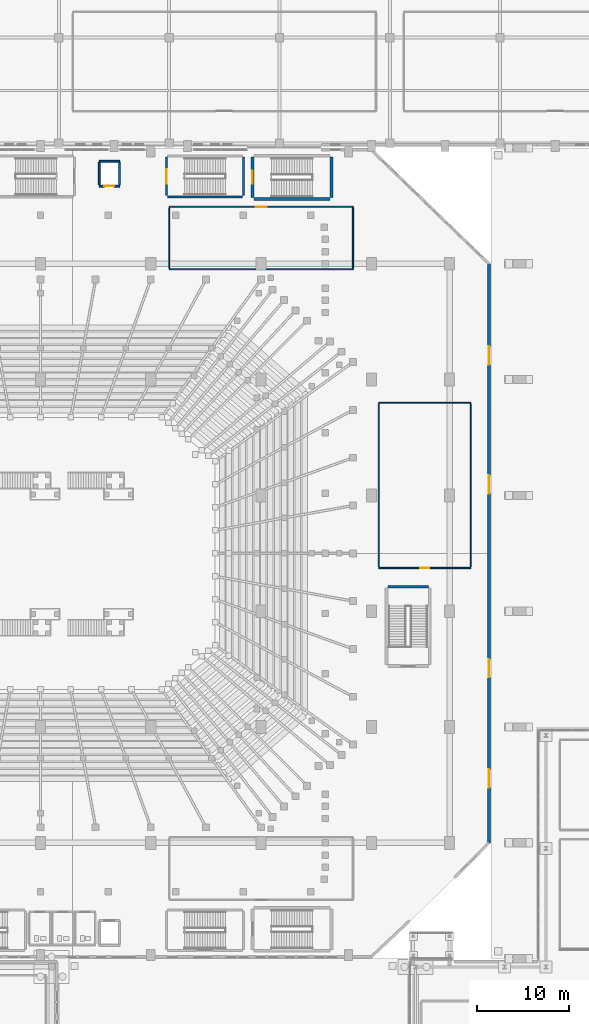
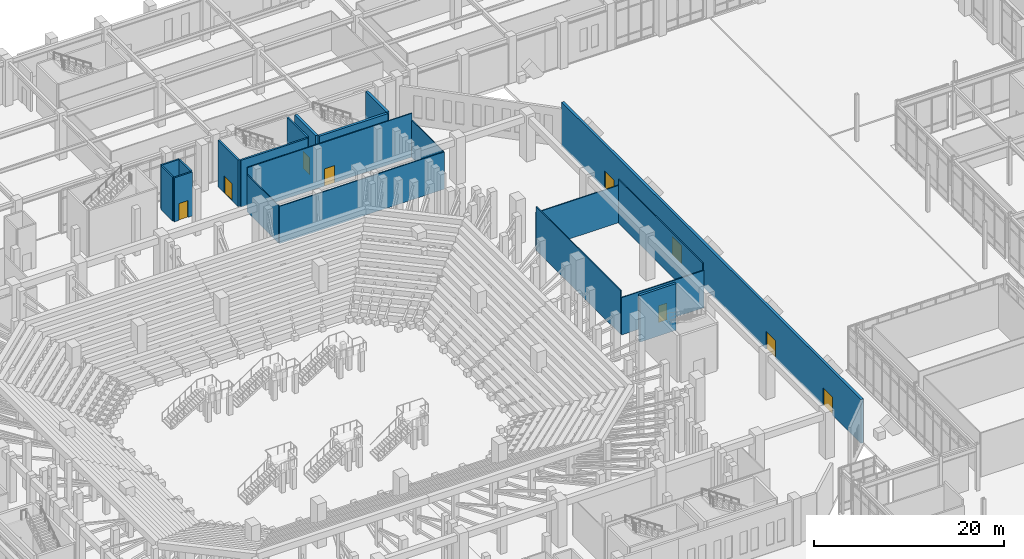
# One storey, part 113 of 143: 20 walls, 9 doors, 9 openings.
"""IFC4 building model written with IfcOpenShell, lengths in metres."""

import ifcopenshell
import ifcopenshell.guid

model = None  # the IFC model being written
_history = None  # IfcOwnerHistory: only IFC2X3 demands one
_inside = {}  # id of a spatial element -> (the spatial element, [elements in it])
_under = {}  # id of a project, library or spatial element -> (it, [spatial elements below it])
_declared = {}  # id of a project -> (the project, [libraries it declares])
_typed = {}  # id of a type object -> (the type object, [elements of that type])
_made_of = {}  # id of a material, layer set ... -> (it, [elements and type objects made of it])


def new_model(schema):
    """Start an empty IFC model of exactly this schema.

    Asked for "IFC4X3", IfcOpenShell would pick the latest addendum, in which some entities
    have other attributes; the version numbers below select the first issue.
    IFC2X3 requires an IfcOwnerHistory on every rooted entity: one is made here for all.
    """
    global model, _history
    if schema == "IFC4X3":
        model = ifcopenshell.file(schema_version=(4, 3, 0, 0))
    else:
        model = ifcopenshell.file(schema=schema)
    _inside.clear()
    _under.clear()
    _declared.clear()
    _typed.clear()
    _made_of.clear()
    _history = None
    if model.schema == "IFC2X3":
        org = make("IfcOrganization", Name="unknown")
        user = make(
            "IfcPersonAndOrganization",
            ThePerson=make("IfcPerson", FamilyName="unknown"),
            TheOrganization=org,
        )
        app = make(
            "IfcApplication",
            ApplicationDeveloper=org,
            Version="unknown",
            ApplicationFullName="unknown",
            ApplicationIdentifier="unknown",
        )
        _history = make(
            "IfcOwnerHistory",
            OwningUser=user,
            OwningApplication=app,
            ChangeAction="ADDED",
            CreationDate=0,
        )
    return model


def make(cls, **values):
    """One entity of the class cls with the attributes given. An attribute that is None is left unset."""
    return model.create_entity(
        cls, **{name: value for name, value in values.items() if value is not None}
    )


def rooted(cls, **values):
    """An entity with a GlobalId (a new one), such as an element, a storey or a relation."""
    return make(cls, GlobalId=ifcopenshell.guid.new(), OwnerHistory=_history, **values)


def si_unit(unit_type, name, prefix=None):
    """IfcSIUnit, for example si_unit("LENGTHUNIT", "METRE", prefix="MILLI")."""
    return make("IfcSIUnit", UnitType=unit_type, Prefix=prefix, Name=name)


def derived_unit(unit_type, elements):
    """IfcDerivedUnit: a product of units, each with its exponent."""
    return make(
        "IfcDerivedUnit",
        Elements=[
            make("IfcDerivedUnitElement", Unit=unit, Exponent=power)
            for unit, power in elements
        ],
        UnitType=unit_type,
    )


def assignment(units):
    """IfcUnitAssignment: the units of a project."""
    return None if units is None else make("IfcUnitAssignment", Units=units)


def point(xyz):
    """IfcCartesianPoint."""
    return None if xyz is None else make("IfcCartesianPoint", Coordinates=xyz)


def direction(xyz):
    """IfcDirection."""
    return None if xyz is None else make("IfcDirection", DirectionRatios=xyz)


def frame(location, z_axis=None, x_axis=None):
    """IfcAxis2Placement3D, a coordinate frame: its origin and axes. An axis left out is left unset."""
    return make(
        "IfcAxis2Placement3D",
        Location=point(location),
        Axis=direction(z_axis),
        RefDirection=direction(x_axis),
    )


def frame_2d(location, x_axis=None):
    """IfcAxis2Placement2D, a coordinate frame in the plane: its origin and x axis."""
    return make(
        "IfcAxis2Placement2D", Location=point(location), RefDirection=direction(x_axis)
    )


def origin():
    """The frame at (0, 0, 0) with its axes left unset."""
    return frame((0.0, 0.0, 0.0))


def place(relative_to, where):
    """IfcLocalPlacement: puts the frame where relative to a parent placement (None: the world)."""
    return make(
        "IfcLocalPlacement", PlacementRelTo=relative_to, RelativePlacement=where
    )


def context(
    kind, dimensions, precision=None, world=None, true_north=None, identifier=None
):
    """IfcGeometricRepresentationContext, for example the 3D "Model" context."""
    return make(
        "IfcGeometricRepresentationContext",
        ContextIdentifier=identifier,
        ContextType=kind,
        CoordinateSpaceDimension=dimensions,
        Precision=precision,
        WorldCoordinateSystem=world,
        TrueNorth=true_north,
    )


def subcontext(parent, identifier, kind, view, scale=None):
    """IfcGeometricRepresentationSubContext, for example "Body" below "Model"."""
    return make(
        "IfcGeometricRepresentationSubContext",
        ContextIdentifier=identifier,
        ContextType=kind,
        ParentContext=parent,
        TargetScale=scale,
        TargetView=view,
    )


def project(units=None, contexts=None):
    """IfcProject with its units and contexts."""
    return rooted(
        "IfcProject",
        Name="project",
        RepresentationContexts=contexts,
        UnitsInContext=assignment(units),
    )


def spatial(cls, under=None, at=None, **own):
    """A site, building, storey or space (cls), placed at a placement, below another one or the project."""
    s = rooted(cls, ObjectPlacement=at, **own)
    if under is not None:
        _under.setdefault(under.id(), (under, []))[1].append(s)
    return s


def profile(cls, at=None, kind="AREA", **sizes):
    """A parametric profile (cls). Its sizes go by their IFC names, for example OverallWidth=200.0."""
    return make(cls, ProfileType=kind, Position=at, **sizes)


def rectangle(**sizes):
    """IfcRectangleProfileDef."""
    return profile("IfcRectangleProfileDef", **sizes)


def extrude(swept, where, along, depth):
    """IfcExtrudedAreaSolid: the profile swept, set in the frame where, extruded along a direction by depth."""
    return make(
        "IfcExtrudedAreaSolid",
        SweptArea=swept,
        Position=where,
        ExtrudedDirection=direction(along),
        Depth=depth,
    )


def shape(context_of_items, identifier, shape_type, items):
    """IfcShapeRepresentation: the items that make up one representation, for example the "Body"."""
    return make(
        "IfcShapeRepresentation",
        ContextOfItems=context_of_items,
        RepresentationIdentifier=identifier,
        RepresentationType=shape_type,
        Items=items,
    )


def material(Name=None, Category=None):
    """IfcMaterial."""
    return make("IfcMaterial", Name=Name, Category=Category)


def layer(
    of_material, thickness, ventilated=None, Name=None, Category=None, Priority=None
):
    """IfcMaterialLayer: one layer of a wall or slab, of a material (None: an air gap)."""
    return make(
        "IfcMaterialLayer",
        Material=of_material,
        LayerThickness=thickness,
        IsVentilated=ventilated,
        Name=Name,
        Category=Category,
        Priority=Priority,
    )


def layer_set(layers, Name=None):
    """IfcMaterialLayerSet."""
    return make("IfcMaterialLayerSet", MaterialLayers=layers, LayerSetName=Name)


def made_of(thing, what):
    """Note that an element or type object is made of a material, layer set ...; save() writes the relation."""
    if what is not None:
        _made_of.setdefault(what.id(), (what, []))[1].append(thing)
    return thing


def type_object(cls, material=None, **own):
    """A type object (cls), such as IfcWallType, which elements share."""
    return made_of(rooted(cls, **own), material)


def element(
    cls,
    number,
    at=None,
    inside=None,
    cuts=None,
    type_object=None,
    material=None,
    context=None,
    identifier="Body",
    shape_type=None,
    held_by="IfcProductDefinitionShape",
    body=None,
    shapes=None,
    **own,
):
    """One element of the class cls, such as IfcWall. Its Tag is "e" and its number.

    at: its placement. inside: the storey or other place that contains it. cuts: it is an
    opening in that element (IfcRelVoidsElement). A single representation is given by context,
    identifier, shape_type and body (its items); several are given by shapes. held_by: the class
    of the entity that holds the representations. save() writes the other relations.
    """
    e = rooted(cls, Tag="e%d" % number, ObjectPlacement=at, **own)
    if body is not None:
        shapes = [shape(context, identifier, shape_type, body)]
    if shapes is not None:
        e.Representation = make(held_by, Representations=shapes)
    if inside is not None:
        _inside.setdefault(inside.id(), (inside, []))[1].append(e)
    if cuts is not None:
        rooted(
            "IfcRelVoidsElement", RelatingBuildingElement=cuts, RelatedOpeningElement=e
        )
    if type_object is not None:
        _typed.setdefault(type_object.id(), (type_object, []))[1].append(e)
    return made_of(e, material)


def fill(opening, filler):
    """IfcRelFillsElement: the door or window that sits in an opening."""
    return rooted(
        "IfcRelFillsElement",
        RelatingOpeningElement=opening,
        RelatedBuildingElement=filler,
    )


def aggregate(whole, parts):
    """IfcRelAggregates: a whole, such as a stair, and the parts it consists of."""
    return rooted("IfcRelAggregates", RelatingObject=whole, RelatedObjects=parts)


def save(model, path):
    """Write the relations noted so far, then the file.

    IfcRelAggregates (storeys below a building ...), IfcRelContainedInSpatialStructure (elements
    in a storey), IfcRelDefinesByType, IfcRelAssociatesMaterial and IfcRelDeclares: one each for
    every whole, place, type object, material and project.
    """
    for whole, parts in _under.values():
        aggregate(whole, parts)
    for where, things in _inside.values():
        rooted(
            "IfcRelContainedInSpatialStructure",
            RelatedElements=things,
            RelatingStructure=where,
        )
    for kind, things in _typed.values():
        rooted("IfcRelDefinesByType", RelatedObjects=things, RelatingType=kind)
    for what, things in _made_of.values():
        rooted("IfcRelAssociatesMaterial", RelatedObjects=things, RelatingMaterial=what)
    for by, libraries in _declared.values():
        rooted("IfcRelDeclares", RelatingContext=by, RelatedDefinitions=libraries)
    model.write(path)


model = new_model("IFC4")

# Units and contexts
model_context = context("Model", 3, precision=1e-05, world=origin(), true_north=direction((0.0, 1.0)))
body_context = subcontext(model_context, "Body", "Model", "MODEL_VIEW")
ifc_project = project(units=[si_unit("LENGTHUNIT", "METRE"), si_unit("AREAUNIT", "SQUARE_METRE"), si_unit("VOLUMEUNIT", "CUBIC_METRE"), si_unit("PLANEANGLEUNIT", "RADIAN"), si_unit("MASSUNIT", "GRAM", prefix="KILO"), derived_unit("THERMALTRANSMITTANCEUNIT", [(si_unit("MASSUNIT", "GRAM", prefix="KILO"), 1), (si_unit("TIMEUNIT", "SECOND"), -3), (si_unit("THERMODYNAMICTEMPERATUREUNIT", "KELVIN"), -1)])], contexts=[model_context])

# Site, building, storey
site_placement = place(None, origin())
site = spatial("IfcSite", under=ifc_project, at=site_placement, CompositionType="ELEMENT")
building_placement = place(site_placement, origin())
building = spatial("IfcBuilding", under=site, at=building_placement, Name="Valcora Ridge Arena", CompositionType="ELEMENT")
storey_placement = place(building_placement, origin())
storey = spatial("IfcBuildingStorey", under=building, at=storey_placement, Name="L00", CompositionType="ELEMENT", Elevation=0.0)

# Wall, openings, doors
ifc_material_1 = material(Name="Bush-hammered Andean travertine on concrete backup C40/50", Category="masonry")
ifc_layer_1 = layer(ifc_material_1, 0.300048828125, Name="Bush-hammered Andean travertine on concrete backup C40/50")
ifc_layer_set_1 = layer_set([ifc_layer_1], Name="Bush-hammered Andean travertine on concrete backup C40/50")
wall_type_1 = type_object("IfcWallType", Name="TY-WALL-EW-TRV-30-56", PredefinedType="STANDARD", material=ifc_layer_set_1)
wall_1_placement = place(storey_placement, frame((106.800048828125, 32.60009765625, 0.0), z_axis=(0.0, 0.0, 1.0), x_axis=(0.0, 1.0, 0.0)))
wall_1 = element("IfcWall", 1, at=wall_1_placement, inside=storey, type_object=wall_type_1, Name="EW-TRV-30-56 WAL-EW-0036", PredefinedType="STANDARD", context=body_context, shape_type="SweptSolid", body=[
    extrude(rectangle(XDim=63.0, YDim=0.300048828125, at=frame_2d((31.5, 0.0))), origin(), (0.0, 0.0, 1.0), 5.639892578125),
])
opening_1_placement = place(wall_1_placement, frame((6.0, 0.0, 0.0)))
opening_1 = element("IfcOpeningElement", 2, at=opening_1_placement, cuts=wall_1, Name="Opening D-EXIT-2000", PredefinedType="OPENING", context=body_context, shape_type="SweptSolid", body=[
    extrude(rectangle(XDim=2.0, YDim=2.300048828125, at=frame_2d((1.0, 1.14990234375))), frame((0.0, 0.159912109375, 0.0), z_axis=(0.0, -1.0, 0.0), x_axis=(1.0, 0.0, 0.0)), (0.0, 0.0, 1.0), 0.320068359375),
])
opening_2_placement = place(wall_1_placement, frame((18.0, 0.0, 0.0)))
opening_2 = element("IfcOpeningElement", 3, at=opening_2_placement, cuts=wall_1, Name="Opening D-EXIT-2000", PredefinedType="OPENING", context=body_context, shape_type="SweptSolid", body=[
    extrude(rectangle(XDim=2.0, YDim=2.300048828125, at=frame_2d((1.0, 1.14990234375))), frame((0.0, 0.159912109375, 0.0), z_axis=(0.0, -1.0, 0.0), x_axis=(1.0, 0.0, 0.0)), (0.0, 0.0, 1.0), 0.320068359375),
])
opening_3_placement = place(wall_1_placement, frame((38.0, 0.0, 0.0)))
opening_3 = element("IfcOpeningElement", 4, at=opening_3_placement, cuts=wall_1, Name="Opening D-EXIT-2000", PredefinedType="OPENING", context=body_context, shape_type="SweptSolid", body=[
    extrude(rectangle(XDim=2.0, YDim=2.300048828125, at=frame_2d((1.0, 1.14990234375))), frame((0.0, 0.159912109375, 0.0), z_axis=(0.0, -1.0, 0.0), x_axis=(1.0, 0.0, 0.0)), (0.0, 0.0, 1.0), 0.320068359375),
])
opening_4_placement = place(wall_1_placement, frame((52.0, 0.0, 0.0)))
opening_4 = element("IfcOpeningElement", 5, at=opening_4_placement, cuts=wall_1, Name="Opening D-EXIT-2000", PredefinedType="OPENING", context=body_context, shape_type="SweptSolid", body=[
    extrude(rectangle(XDim=2.0, YDim=2.300048828125, at=frame_2d((1.0, 1.14990234375))), frame((0.0, 0.159912109375, 0.0), z_axis=(0.0, -1.0, 0.0), x_axis=(1.0, 0.0, 0.0)), (0.0, 0.0, 1.0), 0.320068359375),
])
ifc_material_2 = material(Name="Thermally broken bronze aluminium glazed entrance leaf", Category="aluminium")
door_type_1 = type_object("IfcDoorType", Name="TY-DOOR-D-EXIT-2000", OperationType="NOTDEFINED", PredefinedType="DOOR", material=ifc_material_2)
door_1_placement = place(opening_1_placement, origin())
door_1 = element("IfcDoor", 6, at=door_1_placement, inside=storey, type_object=door_type_1, Name="D-EXIT-2000 DOR-EX-0011", OperationType="DOUBLE_DOOR_SINGLE_SWING", OverallHeight=2.300048828125, OverallWidth=2.0, PredefinedType="DOOR", context=body_context, shape_type="SweptSolid", body=[
    extrude(rectangle(XDim=2.0, YDim=2.300048828125, at=frame_2d((1.0, 1.14990234375))), frame((0.0, 0.02490234375, 0.0), z_axis=(0.0, -1.0, 0.0), x_axis=(1.0, 0.0, 0.0)), (0.0, 0.0, 1.0), 0.050048828125),
])
fill(opening_1, door_1)
door_2_placement = place(opening_2_placement, origin())
door_2 = element("IfcDoor", 7, at=door_2_placement, inside=storey, type_object=door_type_1, Name="D-EXIT-2000 DOR-EX-0012", OperationType="DOUBLE_DOOR_SINGLE_SWING", OverallHeight=2.300048828125, OverallWidth=2.0, PredefinedType="DOOR", context=body_context, shape_type="SweptSolid", body=[
    extrude(rectangle(XDim=2.0, YDim=2.300048828125, at=frame_2d((1.0, 1.14990234375))), frame((0.0, 0.02490234375, 0.0), z_axis=(0.0, -1.0, 0.0), x_axis=(1.0, 0.0, 0.0)), (0.0, 0.0, 1.0), 0.050048828125),
])
fill(opening_2, door_2)
door_3_placement = place(opening_3_placement, origin())
door_3 = element("IfcDoor", 8, at=door_3_placement, inside=storey, type_object=door_type_1, Name="D-EXIT-2000 DOR-EX-0013", OperationType="DOUBLE_DOOR_SINGLE_SWING", OverallHeight=2.300048828125, OverallWidth=2.0, PredefinedType="DOOR", context=body_context, shape_type="SweptSolid", body=[
    extrude(rectangle(XDim=2.0, YDim=2.300048828125, at=frame_2d((1.0, 1.14990234375))), frame((0.0, 0.02490234375, 0.0), z_axis=(0.0, -1.0, 0.0), x_axis=(1.0, 0.0, 0.0)), (0.0, 0.0, 1.0), 0.050048828125),
])
fill(opening_3, door_3)
door_4_placement = place(opening_4_placement, origin())
door_4 = element("IfcDoor", 9, at=door_4_placement, inside=storey, type_object=door_type_1, Name="D-EXIT-2000 DOR-EX-0014", OperationType="DOUBLE_DOOR_SINGLE_SWING", OverallHeight=2.300048828125, OverallWidth=2.0, PredefinedType="DOOR", context=body_context, shape_type="SweptSolid", body=[
    extrude(rectangle(XDim=2.0, YDim=2.300048828125, at=frame_2d((1.0, 1.14990234375))), frame((0.0, 0.02490234375, 0.0), z_axis=(0.0, -1.0, 0.0), x_axis=(1.0, 0.0, 0.0)), (0.0, 0.0, 1.0), 0.050048828125),
])
fill(opening_4, door_4)

# Wall
ifc_material_3 = material(Name="Acoustic metal-stud gypsum partition 120 mm")
ifc_layer_2 = layer(ifc_material_3, 0.1201171875, Name="Acoustic metal-stud gypsum partition 120 mm")
ifc_layer_set_2 = layer_set([ifc_layer_2], Name="Acoustic metal-stud gypsum partition 120 mm")
wall_type_2 = type_object("IfcWallType", Name="TY-WALL-IW-PART-120", PredefinedType="PARTITIONING", material=ifc_layer_set_2)
wall_2_placement = place(storey_placement, frame((72.0, 95.0, 0.0), z_axis=(0.0, 0.0, 1.0), x_axis=(1.0, 0.0, 0.0)))
element("IfcWall", 10, at=wall_2_placement, inside=storey, type_object=wall_type_2, Name="IW-PART-120 WAL-IN-0219", PredefinedType="PARTITIONING", context=body_context, shape_type="SweptSolid", body=[
    extrude(rectangle(XDim=20.0, YDim=0.1201171875, at=frame_2d((10.0, 0.0))), origin(), (0.0, 0.0, 1.0), 4.7900390625),
])

# Wall, opening, door
wall_3_placement = place(storey_placement, frame((72.0, 101.800048828125, 0.0), z_axis=(0.0, 0.0, 1.0), x_axis=(1.0, 0.0, 0.0)))
wall_3 = element("IfcWall", 11, at=wall_3_placement, inside=storey, type_object=wall_type_2, Name="IW-PART-120 WAL-IN-0220", PredefinedType="PARTITIONING", context=body_context, shape_type="SweptSolid", body=[
    extrude(rectangle(XDim=20.0, YDim=0.1201171875, at=frame_2d((10.0, 0.0))), origin(), (0.0, 0.0, 1.0), 5.639892578125),
])
opening_5_placement = place(wall_3_placement, frame((9.39990234375, 0.0, 0.0)))
opening_5 = element("IfcOpeningElement", 12, at=opening_5_placement, cuts=wall_3, Name="Opening D-ATH-1200", PredefinedType="OPENING", context=body_context, shape_type="SweptSolid", body=[
    extrude(rectangle(XDim=1.199951171875, YDim=2.199951171875, at=frame_2d((0.60009765625, 1.10009765625))), frame((0.0, 0.070068359375, 0.0), z_axis=(0.0, -1.0, 0.0), x_axis=(1.0, 0.0, 0.0)), (0.0, 0.0, 1.0), 0.14013671875),
])
ifc_material_4 = material(Name="Solid-core acoustic timber veneer door leaf", Category="wood")
door_type_2 = type_object("IfcDoorType", Name="TY-DOOR-D-ATH-1200", OperationType="NOTDEFINED", PredefinedType="DOOR", material=ifc_material_4)
door_5_placement = place(opening_5_placement, origin())
door_5 = element("IfcDoor", 13, at=door_5_placement, inside=storey, type_object=door_type_2, Name="D-ATH-1200 DOR-IN-0059", OperationType="SINGLE_SWING_RIGHT", OverallHeight=2.199951171875, OverallWidth=1.199951171875, PredefinedType="DOOR", context=body_context, shape_type="SweptSolid", body=[
    extrude(rectangle(XDim=1.199951171875, YDim=2.199951171875, at=frame_2d((0.60009765625, 1.10009765625))), frame((0.0, 0.02490234375, 0.0), z_axis=(0.0, -1.0, 0.0), x_axis=(1.0, 0.0, 0.0)), (0.0, 0.0, 1.0), 0.050048828125),
])
fill(opening_5, door_5)

# Walls
for number, where, z_axis, x_axis, name in (
    (14, (72.0, 95.1201171875, 0.0), (0.0, 0.0, 1.0), (0.0, 1.0, 0.0), "IW-PART-120 WAL-IN-0221"),
    (15, (92.0, 95.1201171875, 0.0), (0.0, 0.0, 1.0), (0.0, 1.0, 0.0), "IW-PART-120 WAL-IN-0222"),
):
    element("IfcWall", number, at=place(storey_placement, frame(where, z_axis=z_axis, x_axis=x_axis)), inside=storey, type_object=wall_type_2, Name=name, PredefinedType="PARTITIONING", context=body_context, shape_type="SweptSolid", body=[
        extrude(rectangle(XDim=6.559814453125, YDim=0.1201171875, at=frame_2d((3.27978515625, 0.0))), origin(), (0.0, 0.0, 1.0), 4.7900390625),
    ])

# Wall, opening, door
wall_4_placement = place(storey_placement, frame((94.800048828125, 62.5, 0.0), z_axis=(0.0, 0.0, 1.0), x_axis=(1.0, 0.0, 0.0)))
wall_4 = element("IfcWall", 16, at=wall_4_placement, inside=storey, type_object=wall_type_2, Name="IW-PART-120 WAL-IN-0231", PredefinedType="PARTITIONING", context=body_context, shape_type="SweptSolid", body=[
    extrude(rectangle(XDim=10.0, YDim=0.1201171875, at=frame_2d((5.0, 0.0))), origin(), (0.0, 0.0, 1.0), 4.7900390625),
])
opening_6_placement = place(wall_4_placement, frame((4.5, 0.0, 0.0)))
opening_6 = element("IfcOpeningElement", 17, at=opening_6_placement, cuts=wall_4, Name="Opening D-INT-1000", PredefinedType="OPENING", context=body_context, shape_type="SweptSolid", body=[
    extrude(rectangle(XDim=1.0, YDim=2.14990234375, at=frame_2d((0.5, 1.074951171875))), frame((0.0, 0.070068359375, 0.0), z_axis=(0.0, -1.0, 0.0), x_axis=(1.0, 0.0, 0.0)), (0.0, 0.0, 1.0), 0.14013671875),
])
door_type_3 = type_object("IfcDoorType", Name="TY-DOOR-D-INT-1000", OperationType="NOTDEFINED", PredefinedType="DOOR", material=ifc_material_4)
door_6_placement = place(opening_6_placement, origin())
door_6 = element("IfcDoor", 18, at=door_6_placement, inside=storey, type_object=door_type_3, Name="D-INT-1000 DOR-IN-0062", OperationType="SINGLE_SWING_LEFT", OverallHeight=2.14990234375, OverallWidth=1.0, PredefinedType="DOOR", context=body_context, shape_type="SweptSolid", body=[
    extrude(rectangle(XDim=1.0, YDim=2.14990234375, at=frame_2d((0.5, 1.074951171875))), frame((0.0, 0.02490234375, 0.0), z_axis=(0.0, -1.0, 0.0), x_axis=(1.0, 0.0, 0.0)), (0.0, 0.0, 1.0), 0.050048828125),
])
fill(opening_6, door_6)

# Walls
wall_5_placement = place(storey_placement, frame((94.800048828125, 80.5, 0.0), z_axis=(0.0, 0.0, 1.0), x_axis=(1.0, 0.0, 0.0)))
element("IfcWall", 19, at=wall_5_placement, inside=storey, type_object=wall_type_2, Name="IW-PART-120 WAL-IN-0232", PredefinedType="PARTITIONING", context=body_context, shape_type="SweptSolid", body=[
    extrude(rectangle(XDim=10.0, YDim=0.1201171875, at=frame_2d((5.0, 0.0))), origin(), (0.0, 0.0, 1.0), 4.7900390625),
])
for number, where, z_axis, x_axis, name in (
    (20, (94.800048828125, 62.6201171875, 0.0), (0.0, 0.0, 1.0), (0.0, 1.0, 0.0), "IW-PART-120 WAL-IN-0233"),
    (21, (104.800048828125, 62.6201171875, 0.0), (0.0, 0.0, 1.0), (0.0, 1.0, 0.0), "IW-PART-120 WAL-IN-0234"),
):
    element("IfcWall", number, at=place(storey_placement, frame(where, z_axis=z_axis, x_axis=x_axis)), inside=storey, type_object=wall_type_2, Name=name, PredefinedType="PARTITIONING", context=body_context, shape_type="SweptSolid", body=[
        extrude(rectangle(XDim=17.759765625, YDim=0.1201171875, at=frame_2d((8.8798828125, 0.0))), origin(), (0.0, 0.0, 1.0), 5.639892578125),
    ])

# Wall, opening, door
ifc_material_5 = material(Name="Concrete C40/50", Category="concrete")
ifc_layer_3 = layer(ifc_material_5, 0.199951171875, Name="Concrete C40/50")
ifc_layer_set_3 = layer_set([ifc_layer_3], Name="Concrete C40/50")
wall_type_3 = type_object("IfcWallType", Name="TY-WALL-IW-SHF-200", PredefinedType="STANDARD", material=ifc_layer_set_3)
wall_6_placement = place(storey_placement, frame((64.39990234375, 104.050048828125, 0.0), z_axis=(0.0, 0.0, 1.0), x_axis=(1.0, 0.0, 0.0)))
wall_6 = element("IfcWall", 22, at=wall_6_placement, inside=storey, type_object=wall_type_3, Name="IW-SHF-200 WAL-SH-0133", PredefinedType="STANDARD", context=body_context, shape_type="SweptSolid", body=[
    extrude(rectangle(XDim=2.2001953125, YDim=0.199951171875, at=frame_2d((1.10009765625, 0.0))), origin(), (0.0, 0.0, 1.0), 5.639892578125),
])
opening_7_placement = place(wall_6_placement, frame((0.550048828125, 0.0, 0.0)))
opening_7 = element("IfcOpeningElement", 23, at=opening_7_placement, cuts=wall_6, Name="Opening LD-PAX", PredefinedType="OPENING", context=body_context, shape_type="SweptSolid", body=[
    extrude(rectangle(XDim=1.10009765625, YDim=2.14990234375, at=frame_2d((0.550048828125, 1.074951171875))), frame((0.0, 0.10986328125, 0.0), z_axis=(0.0, -1.0, 0.0), x_axis=(1.0, 0.0, 0.0)), (0.0, 0.0, 1.0), 0.219970703125),
])
ifc_material_6 = material(Name="Insulated fire-rated hollow metal steel", Category="steel")
door_type_4 = type_object("IfcDoorType", Name="TY-DOOR-LD-PAX", OperationType="NOTDEFINED", PredefinedType="DOOR", material=ifc_material_6)
door_7_placement = place(opening_7_placement, origin())
door_7 = element("IfcDoor", 24, at=door_7_placement, inside=storey, type_object=door_type_4, Name="PL4 Landing Door L00", OperationType="SLIDING_TO_LEFT", OverallHeight=2.14990234375, OverallWidth=1.10009765625, PredefinedType="DOOR", context=body_context, shape_type="SweptSolid", body=[
    extrude(rectangle(XDim=1.10009765625, YDim=2.14990234375, at=frame_2d((0.550048828125, 1.074951171875))), frame((0.0, 0.02490234375, 0.0), z_axis=(0.0, -1.0, 0.0), x_axis=(1.0, 0.0, 0.0)), (0.0, 0.0, 1.0), 0.050048828125),
])
fill(opening_7, door_7)

# Walls
wall_7_placement = place(storey_placement, frame((64.39990234375, 106.75, 0.0), z_axis=(0.0, 0.0, 1.0), x_axis=(1.0, 0.0, 0.0)))
element("IfcWall", 25, at=wall_7_placement, inside=storey, type_object=wall_type_3, Name="IW-SHF-200 WAL-SH-0134", PredefinedType="STANDARD", context=body_context, shape_type="SweptSolid", body=[
    extrude(rectangle(XDim=2.2001953125, YDim=0.199951171875, at=frame_2d((1.10009765625, 0.0))), origin(), (0.0, 0.0, 1.0), 5.639892578125),
])
for number, where, z_axis, x_axis, name in (
    (26, (64.39990234375, 104.169921875, 0.0), (0.0, 0.0, 1.0), (0.0, 1.0, 0.0), "IW-SHF-200 WAL-SH-0135"),
    (27, (66.60009765625, 104.169921875, 0.0), (0.0, 0.0, 1.0), (0.0, 1.0, 0.0), "IW-SHF-200 WAL-SH-0136"),
):
    element("IfcWall", number, at=place(storey_placement, frame(where, z_axis=z_axis, x_axis=x_axis)), inside=storey, type_object=wall_type_3, Name=name, PredefinedType="STANDARD", context=body_context, shape_type="SweptSolid", body=[
        extrude(rectangle(XDim=2.4599609375, YDim=0.199951171875, at=frame_2d((1.22998046875, 0.0))), origin(), (0.0, 0.0, 1.0), 5.639892578125),
    ])
ifc_material_7 = material(Name="Concrete C45/55", Category="concrete")
ifc_layer_4 = layer(ifc_material_7, 0.300048828125, Name="Concrete C45/55")
ifc_layer_set_4 = layer_set([ifc_layer_4], Name="Concrete C45/55")
wall_type_4 = type_object("IfcWallType", Name="TY-WALL-SW-C300-L", PredefinedType="SHEAR", material=ifc_layer_set_4)
wall_8_placement = place(storey_placement, frame((81.199951171875, 102.64990234375, 0.0), z_axis=(0.0, 0.0, 1.0), x_axis=(1.0, 0.0, 0.0)))
element("IfcWall", 28, at=wall_8_placement, inside=storey, type_object=wall_type_4, Name="SW-C300-L WAL-CR-0085", PredefinedType="SHEAR", context=body_context, shape_type="SweptSolid", body=[
    extrude(rectangle(XDim=8.320068359375, YDim=0.300048828125, at=frame_2d((4.16015625, 0.0))), origin(), (0.0, 0.0, 1.0), 6.0),
])

# Wall, opening, door
ifc_layer_5 = layer(ifc_material_7, 0.300048828125, Name="Concrete C45/55")
ifc_layer_set_5 = layer_set([ifc_layer_5], Name="Concrete C45/55")
wall_type_5 = type_object("IfcWallType", Name="TY-WALL-SW-C300-S", PredefinedType="SHEAR", material=ifc_layer_set_5)
wall_9_placement = place(storey_placement, frame((81.050048828125, 102.800048828125, 0.0), z_axis=(0.0, 0.0, 1.0), x_axis=(0.0, 1.0, 0.0)))
wall_9 = element("IfcWall", 29, at=wall_9_placement, inside=storey, type_object=wall_type_5, Name="SW-C300-S WAL-CR-0087", PredefinedType="SHEAR", context=body_context, shape_type="SweptSolid", body=[
    extrude(rectangle(XDim=4.39990234375, YDim=0.300048828125, at=frame_2d((2.199951171875, 0.0))), origin(), (0.0, 0.0, 1.0), 6.0),
])
opening_8_placement = place(wall_9_placement, frame((1.5, 0.0, 0.0)))
opening_8 = element("IfcOpeningElement", 30, at=opening_8_placement, cuts=wall_9, Name="Opening FD-01", PredefinedType="OPENING", context=body_context, shape_type="SweptSolid", body=[
    extrude(rectangle(XDim=1.39990234375, YDim=2.199951171875, at=frame_2d((0.699951171875, 1.10009765625))), frame((0.0, 0.159912109375, 0.0), z_axis=(0.0, -1.0, 0.0), x_axis=(1.0, 0.0, 0.0)), (0.0, 0.0, 1.0), 0.320068359375),
])
ifc_material_8 = material(Name="Insulated fire-rated steel door leaf", Category="steel")
door_type_5 = type_object("IfcDoorType", Name="TY-DOOR-FD-01", OperationType="NOTDEFINED", PredefinedType="DOOR", material=ifc_material_8)
door_8_placement = place(opening_8_placement, origin())
door_8 = element("IfcDoor", 31, at=door_8_placement, inside=storey, type_object=door_type_5, Name="FD-01 DOR-ST-0022", OperationType="DOUBLE_DOOR_SINGLE_SWING", OverallHeight=2.199951171875, OverallWidth=1.39990234375, PredefinedType="DOOR", context=body_context, shape_type="SweptSolid", body=[
    extrude(rectangle(XDim=1.39990234375, YDim=2.199951171875, at=frame_2d((0.699951171875, 1.10009765625))), frame((0.0, 0.02490234375, 0.0), z_axis=(0.0, -1.0, 0.0), x_axis=(1.0, 0.0, 0.0)), (0.0, 0.0, 1.0), 0.050048828125),
])
fill(opening_8, door_8)

# Walls
for number, where, z_axis, x_axis, name in (
    (32, (89.669921875, 102.800048828125, 0.0), (0.0, 0.0, 1.0), (0.0, 1.0, 0.0), "SW-C300-S WAL-CR-0088"),
    (33, (95.800048828125, 60.469970703125, 0.0), (0.0, 0.0, 1.0), (1.0, 0.0, 0.0), "SW-C300-S WAL-CR-0138"),
):
    element("IfcWall", number, at=place(storey_placement, frame(where, z_axis=z_axis, x_axis=x_axis)), inside=storey, type_object=wall_type_5, Name=name, PredefinedType="SHEAR", context=body_context, shape_type="SweptSolid", body=[
        extrude(rectangle(XDim=4.39990234375, YDim=0.300048828125, at=frame_2d((2.199951171875, 0.0))), origin(), (0.0, 0.0, 1.0), 6.0),
    ])
ifc_material_9 = material(Name="Fire-resisting reinforced concrete enclosure C40/50 200 mm", Category="concrete")
ifc_layer_6 = layer(ifc_material_9, 0.219970703125, Name="Fire-resisting reinforced concrete enclosure C40/50 200 mm")
ifc_layer_set_6 = layer_set([ifc_layer_6], Name="Fire-resisting reinforced concrete enclosure C40/50 200 mm")
wall_type_6 = type_object("IfcWallType", Name="TY-WALL-SW-ES-220", PredefinedType="SHEAR", material=ifc_layer_set_6)
wall_10_placement = place(storey_placement, frame((71.800048828125, 102.889892578125, 0.0), z_axis=(0.0, 0.0, 1.0), x_axis=(1.0, 0.0, 0.0)))
element("IfcWall", 34, at=wall_10_placement, inside=storey, type_object=wall_type_6, Name="SW-ES-220 WAL-ES-0077", PredefinedType="SHEAR", context=body_context, shape_type="SweptSolid", body=[
    extrude(rectangle(XDim=8.159912109375, YDim=0.219970703125, at=frame_2d((4.080078125, 0.0))), origin(), (0.0, 0.0, 1.0), 6.0),
])

# Wall, opening, door
wall_11_placement = place(storey_placement, frame((71.68994140625, 103.0, 0.0), z_axis=(0.0, 0.0, 1.0), x_axis=(0.0, 1.0, 0.0)))
wall_11 = element("IfcWall", 35, at=wall_11_placement, inside=storey, type_object=wall_type_6, Name="SW-ES-220 WAL-ES-0079", PredefinedType="SHEAR", context=body_context, shape_type="SweptSolid", body=[
    extrude(rectangle(XDim=4.199951171875, YDim=0.219970703125, at=frame_2d((2.10009765625, 0.0))), origin(), (0.0, 0.0, 1.0), 6.0),
])
opening_9_placement = place(wall_11_placement, frame((1.300048828125, 0.0, 0.0)))
opening_9 = element("IfcOpeningElement", 36, at=opening_9_placement, cuts=wall_11, Name="Opening FD-02", PredefinedType="OPENING", context=body_context, shape_type="SweptSolid", body=[
    extrude(rectangle(XDim=1.60009765625, YDim=2.199951171875, at=frame_2d((0.800048828125, 1.10009765625))), frame((0.0, 0.119873046875, 0.0), z_axis=(0.0, -1.0, 0.0), x_axis=(1.0, 0.0, 0.0)), (0.0, 0.0, 1.0), 0.239990234375),
])
door_type_6 = type_object("IfcDoorType", Name="TY-DOOR-FD-02", OperationType="NOTDEFINED", PredefinedType="DOOR", material=ifc_material_8)
door_9_placement = place(opening_9_placement, origin())
door_9 = element("IfcDoor", 37, at=door_9_placement, inside=storey, type_object=door_type_6, Name="FD-02 DOR-ES-0016", OperationType="DOUBLE_DOOR_SINGLE_SWING", OverallHeight=2.199951171875, OverallWidth=1.60009765625, PredefinedType="DOOR", context=body_context, shape_type="SweptSolid", body=[
    extrude(rectangle(XDim=1.60009765625, YDim=2.199951171875, at=frame_2d((0.800048828125, 1.10009765625))), frame((0.0, 0.02490234375, 0.0), z_axis=(0.0, -1.0, 0.0), x_axis=(1.0, 0.0, 0.0)), (0.0, 0.0, 1.0), 0.050048828125),
])
fill(opening_9, door_9)

# Wall
wall_12_placement = place(storey_placement, frame((80.070068359375, 103.0, 0.0), z_axis=(0.0, 0.0, 1.0), x_axis=(0.0, 1.0, 0.0)))
element("IfcWall", 38, at=wall_12_placement, inside=storey, type_object=wall_type_6, Name="SW-ES-220 WAL-ES-0080", PredefinedType="SHEAR", context=body_context, shape_type="SweptSolid", body=[
    extrude(rectangle(XDim=4.199951171875, YDim=0.219970703125, at=frame_2d((2.10009765625, 0.0))), origin(), (0.0, 0.0, 1.0), 6.0),
])

save(model, "model.ifc")
